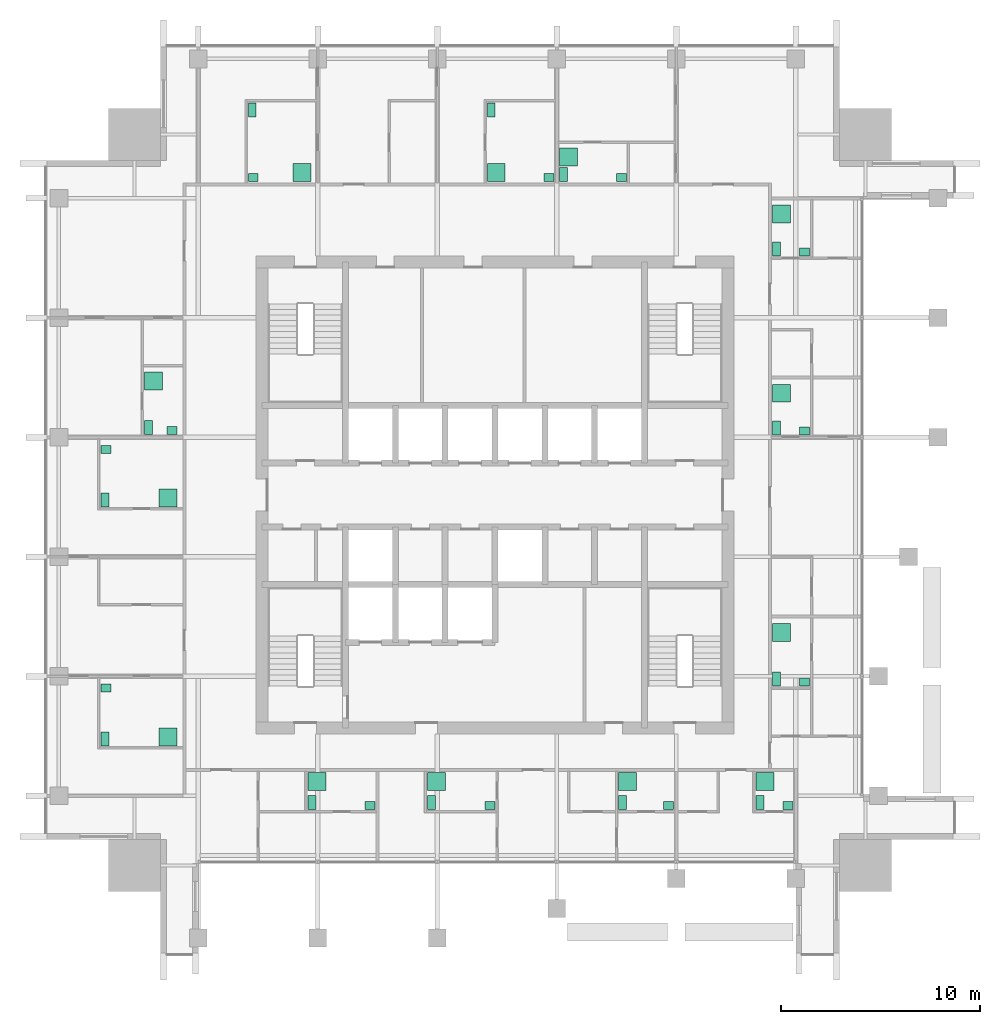
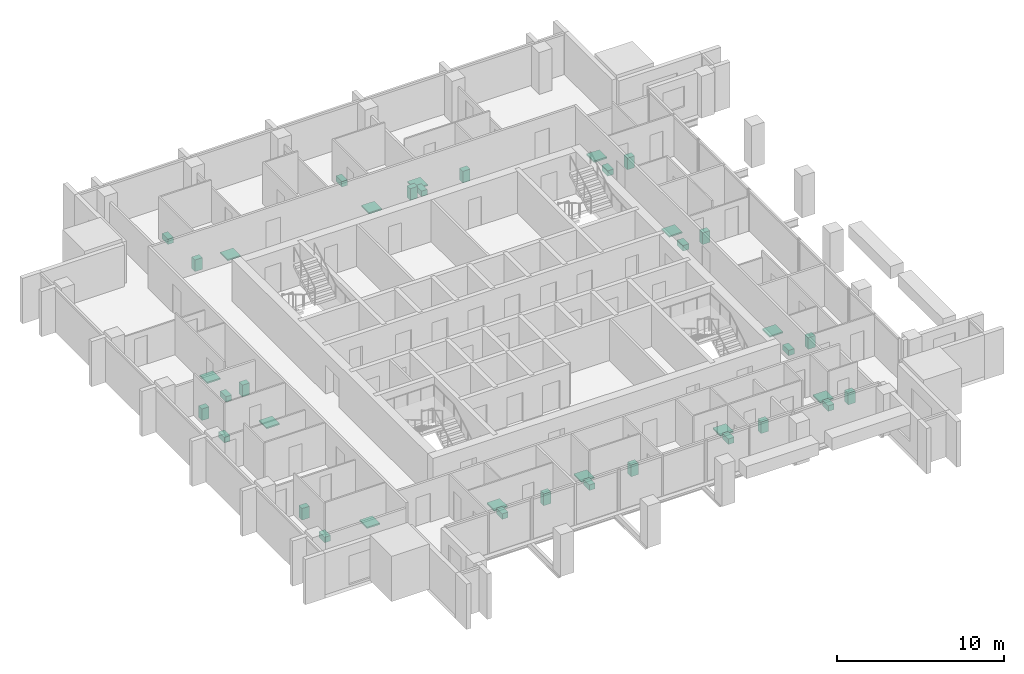
# One storey, part 14 of 14: 39 sanitary terminals.
"""IFC4 building model written with IfcOpenShell, lengths in metres."""

from ifc_helpers import new_model, si_unit, direction, frame, origin, origin_2d, place, context, subcontext, project, spatial, rectangle, extrude, element, save


model = new_model("IFC4")

# Units and contexts
model_context = context("Model", 3, precision=1e-05, world=origin(), true_north=direction((0.0, 1.0)))
body_context = subcontext(model_context, "Body", "Model", "MODEL_VIEW")
ifc_project = project(units=[si_unit("LENGTHUNIT", "METRE"), si_unit("AREAUNIT", "SQUARE_METRE"), si_unit("VOLUMEUNIT", "CUBIC_METRE"), si_unit("PLANEANGLEUNIT", "RADIAN"), si_unit("MASSUNIT", "GRAM", prefix="KILO")], contexts=[model_context])

# Site, building, storey
site_placement = place(None, origin())
site = spatial("IfcSite", under=ifc_project, at=site_placement, CompositionType="ELEMENT")
building_placement = place(site_placement, origin())
building = spatial("IfcBuilding", under=site, at=building_placement, Name="Amberfall Residences", CompositionType="ELEMENT")
storey_placement = place(building_placement, frame((0.0, 0.0, 220.0)))
storey = spatial("IfcBuildingStorey", under=building, at=storey_placement, Name="L59", CompositionType="ELEMENT", Elevation=220.0)

# Sanitary terminals
sanitary_terminal_1_placement = place(storey_placement, frame((65.31005859375, 30.06005859375, 0.0), z_axis=(0.0, 0.0, 1.0), x_axis=(1.0, 0.0, 0.0)))
element("IfcSanitaryTerminal", 1, at=sanitary_terminal_1_placement, inside=storey, Name="Water closet 5901", PredefinedType="TOILETPAN", context=body_context, shape_type="SweptSolid", body=[
    extrude(rectangle(XDim=0.39990234375, YDim=0.699951171875, at=origin_2d()), origin(), (0.0, 0.0, 1.0), 0.39990234375),
])
sanitary_terminal_2_placement = place(storey_placement, frame((68.215087890625, 29.909912109375, 0.0), z_axis=(0.0, 0.0, 1.0), x_axis=(1.0, 0.0, 0.0)))
element("IfcSanitaryTerminal", 2, at=sanitary_terminal_2_placement, inside=storey, Name="Basin 5901", PredefinedType="WASHHANDBASIN", context=body_context, shape_type="SweptSolid", body=[
    extrude(rectangle(XDim=0.5, YDim=0.39990234375, at=origin_2d()), origin(), (0.0, 0.0, 1.0), 0.85009765625),
])
sanitary_terminal_3_placement = place(storey_placement, frame((65.56005859375, 31.114990234375, 0.0), z_axis=(0.0, 0.0, 1.0), x_axis=(1.0, 0.0, 0.0)))
element("IfcSanitaryTerminal", 3, at=sanitary_terminal_3_placement, inside=storey, Name="Shower tray 5901", PredefinedType="SHOWER", context=body_context, shape_type="SweptSolid", body=[
    extrude(rectangle(XDim=0.89990234375, YDim=0.89990234375, at=origin_2d()), origin(), (0.0, 0.0, 1.0), 0.10009765625),
])
sanitary_terminal_4_placement = place(storey_placement, frame((71.31005859375, 30.06005859375, 0.0), z_axis=(0.0, 0.0, 1.0), x_axis=(1.0, 0.0, 0.0)))
element("IfcSanitaryTerminal", 4, at=sanitary_terminal_4_placement, inside=storey, Name="Water closet 5902", PredefinedType="TOILETPAN", context=body_context, shape_type="SweptSolid", body=[
    extrude(rectangle(XDim=0.39990234375, YDim=0.699951171875, at=origin_2d()), origin(), (0.0, 0.0, 1.0), 0.39990234375),
])
sanitary_terminal_5_placement = place(storey_placement, frame((74.239990234375, 29.909912109375, 0.0), z_axis=(0.0, 0.0, 1.0), x_axis=(1.0, 0.0, 0.0)))
element("IfcSanitaryTerminal", 5, at=sanitary_terminal_5_placement, inside=storey, Name="Basin 5902", PredefinedType="WASHHANDBASIN", context=body_context, shape_type="SweptSolid", body=[
    extrude(rectangle(XDim=0.5, YDim=0.39990234375, at=origin_2d()), origin(), (0.0, 0.0, 1.0), 0.85009765625),
])
sanitary_terminal_6_placement = place(storey_placement, frame((71.56005859375, 31.114990234375, 0.0), z_axis=(0.0, 0.0, 1.0), x_axis=(1.0, 0.0, 0.0)))
element("IfcSanitaryTerminal", 6, at=sanitary_terminal_6_placement, inside=storey, Name="Shower tray 5902", PredefinedType="SHOWER", context=body_context, shape_type="SweptSolid", body=[
    extrude(rectangle(XDim=0.89990234375, YDim=0.89990234375, at=origin_2d()), origin(), (0.0, 0.0, 1.0), 0.10009765625),
])
sanitary_terminal_7_placement = place(storey_placement, frame((80.909912109375, 30.06005859375, 0.0), z_axis=(0.0, 0.0, 1.0), x_axis=(1.0, 0.0, 0.0)))
element("IfcSanitaryTerminal", 7, at=sanitary_terminal_7_placement, inside=storey, Name="Water closet 5902", PredefinedType="TOILETPAN", context=body_context, shape_type="SweptSolid", body=[
    extrude(rectangle(XDim=0.39990234375, YDim=0.699951171875, at=origin_2d()), origin(), (0.0, 0.0, 1.0), 0.39990234375),
])
sanitary_terminal_8_placement = place(storey_placement, frame((83.215087890625, 29.909912109375, 0.0), z_axis=(0.0, 0.0, 1.0), x_axis=(1.0, 0.0, 0.0)))
element("IfcSanitaryTerminal", 8, at=sanitary_terminal_8_placement, inside=storey, Name="Basin 5902", PredefinedType="WASHHANDBASIN", context=body_context, shape_type="SweptSolid", body=[
    extrude(rectangle(XDim=0.5, YDim=0.39990234375, at=origin_2d()), origin(), (0.0, 0.0, 1.0), 0.85009765625),
])
sanitary_terminal_9_placement = place(storey_placement, frame((81.159912109375, 31.114990234375, 0.0), z_axis=(0.0, 0.0, 1.0), x_axis=(1.0, 0.0, 0.0)))
element("IfcSanitaryTerminal", 9, at=sanitary_terminal_9_placement, inside=storey, Name="Shower tray 5902", PredefinedType="SHOWER", context=body_context, shape_type="SweptSolid", body=[
    extrude(rectangle(XDim=0.89990234375, YDim=0.89990234375, at=origin_2d()), origin(), (0.0, 0.0, 1.0), 0.10009765625),
])
sanitary_terminal_10_placement = place(storey_placement, frame((87.81005859375, 30.06005859375, 0.0), z_axis=(0.0, 0.0, 1.0), x_axis=(1.0, 0.0, 0.0)))
element("IfcSanitaryTerminal", 10, at=sanitary_terminal_10_placement, inside=storey, Name="Water closet 5903", PredefinedType="TOILETPAN", context=body_context, shape_type="SweptSolid", body=[
    extrude(rectangle(XDim=0.39990234375, YDim=0.699951171875, at=origin_2d()), origin(), (0.0, 0.0, 1.0), 0.39990234375),
])
sanitary_terminal_11_placement = place(storey_placement, frame((89.215087890625, 29.909912109375, 0.0), z_axis=(0.0, 0.0, 1.0), x_axis=(1.0, 0.0, 0.0)))
element("IfcSanitaryTerminal", 11, at=sanitary_terminal_11_placement, inside=storey, Name="Basin 5903", PredefinedType="WASHHANDBASIN", context=body_context, shape_type="SweptSolid", body=[
    extrude(rectangle(XDim=0.5, YDim=0.39990234375, at=origin_2d()), origin(), (0.0, 0.0, 1.0), 0.85009765625),
])
sanitary_terminal_12_placement = place(storey_placement, frame((88.06005859375, 31.114990234375, 0.0), z_axis=(0.0, 0.0, 1.0), x_axis=(1.0, 0.0, 0.0)))
element("IfcSanitaryTerminal", 12, at=sanitary_terminal_12_placement, inside=storey, Name="Shower tray 5903", PredefinedType="SHOWER", context=body_context, shape_type="SweptSolid", body=[
    extrude(rectangle(XDim=0.89990234375, YDim=0.89990234375, at=origin_2d()), origin(), (0.0, 0.0, 1.0), 0.10009765625),
])
sanitary_terminal_13_placement = place(storey_placement, frame((88.635009765625, 36.260009765625, 0.0), z_axis=(0.0, 0.0, 1.0), x_axis=(1.0, 0.0, 0.0)))
element("IfcSanitaryTerminal", 13, at=sanitary_terminal_13_placement, inside=storey, Name="Water closet 5904", PredefinedType="TOILETPAN", context=body_context, shape_type="SweptSolid", body=[
    extrude(rectangle(XDim=0.39990234375, YDim=0.699951171875, at=origin_2d()), origin(), (0.0, 0.0, 1.0), 0.39990234375),
])
sanitary_terminal_14_placement = place(storey_placement, frame((90.0400390625, 36.110107421875, 0.0), z_axis=(0.0, 0.0, 1.0), x_axis=(1.0, 0.0, 0.0)))
element("IfcSanitaryTerminal", 14, at=sanitary_terminal_14_placement, inside=storey, Name="Basin 5904", PredefinedType="WASHHANDBASIN", context=body_context, shape_type="SweptSolid", body=[
    extrude(rectangle(XDim=0.5, YDim=0.39990234375, at=origin_2d()), origin(), (0.0, 0.0, 1.0), 0.85009765625),
])
sanitary_terminal_15_placement = place(storey_placement, frame((88.885009765625, 38.591796875, 0.0), z_axis=(0.0, 0.0, 1.0), x_axis=(1.0, 0.0, 0.0)))
element("IfcSanitaryTerminal", 15, at=sanitary_terminal_15_placement, inside=storey, Name="Shower tray 5904", PredefinedType="SHOWER", context=body_context, shape_type="SweptSolid", body=[
    extrude(rectangle(XDim=0.89990234375, YDim=0.89990234375, at=origin_2d()), origin(), (0.0, 0.0, 1.0), 0.10009765625),
])
sanitary_terminal_16_placement = place(storey_placement, frame((88.635009765625, 48.860107421875, 0.0), z_axis=(0.0, 0.0, 1.0), x_axis=(1.0, 0.0, 0.0)))
element("IfcSanitaryTerminal", 16, at=sanitary_terminal_16_placement, inside=storey, Name="Water closet 5905", PredefinedType="TOILETPAN", context=body_context, shape_type="SweptSolid", body=[
    extrude(rectangle(XDim=0.39990234375, YDim=0.699951171875, at=origin_2d()), origin(), (0.0, 0.0, 1.0), 0.39990234375),
])
sanitary_terminal_17_placement = place(storey_placement, frame((90.0400390625, 48.7099609375, 0.0), z_axis=(0.0, 0.0, 1.0), x_axis=(1.0, 0.0, 0.0)))
element("IfcSanitaryTerminal", 17, at=sanitary_terminal_17_placement, inside=storey, Name="Basin 5905", PredefinedType="WASHHANDBASIN", context=body_context, shape_type="SweptSolid", body=[
    extrude(rectangle(XDim=0.5, YDim=0.39990234375, at=origin_2d()), origin(), (0.0, 0.0, 1.0), 0.85009765625),
])
sanitary_terminal_18_placement = place(storey_placement, frame((88.885009765625, 50.60888671875, 0.0), z_axis=(0.0, 0.0, 1.0), x_axis=(1.0, 0.0, 0.0)))
element("IfcSanitaryTerminal", 18, at=sanitary_terminal_18_placement, inside=storey, Name="Shower tray 5905", PredefinedType="SHOWER", context=body_context, shape_type="SweptSolid", body=[
    extrude(rectangle(XDim=0.89990234375, YDim=0.89990234375, at=origin_2d()), origin(), (0.0, 0.0, 1.0), 0.10009765625),
])
sanitary_terminal_19_placement = place(storey_placement, frame((88.635009765625, 57.860107421875, 0.0), z_axis=(0.0, 0.0, 1.0), x_axis=(1.0, 0.0, 0.0)))
element("IfcSanitaryTerminal", 19, at=sanitary_terminal_19_placement, inside=storey, Name="Water closet 5906", PredefinedType="TOILETPAN", context=body_context, shape_type="SweptSolid", body=[
    extrude(rectangle(XDim=0.39990234375, YDim=0.699951171875, at=origin_2d()), origin(), (0.0, 0.0, 1.0), 0.39990234375),
])
sanitary_terminal_20_placement = place(storey_placement, frame((90.0400390625, 57.7099609375, 0.0), z_axis=(0.0, 0.0, 1.0), x_axis=(1.0, 0.0, 0.0)))
element("IfcSanitaryTerminal", 20, at=sanitary_terminal_20_placement, inside=storey, Name="Basin 5906", PredefinedType="WASHHANDBASIN", context=body_context, shape_type="SweptSolid", body=[
    extrude(rectangle(XDim=0.5, YDim=0.39990234375, at=origin_2d()), origin(), (0.0, 0.0, 1.0), 0.85009765625),
])
sanitary_terminal_21_placement = place(storey_placement, frame((88.885009765625, 59.60888671875, 0.0), z_axis=(0.0, 0.0, 1.0), x_axis=(1.0, 0.0, 0.0)))
element("IfcSanitaryTerminal", 21, at=sanitary_terminal_21_placement, inside=storey, Name="Shower tray 5906", PredefinedType="SHOWER", context=body_context, shape_type="SweptSolid", body=[
    extrude(rectangle(XDim=0.89990234375, YDim=0.89990234375, at=origin_2d()), origin(), (0.0, 0.0, 1.0), 0.10009765625),
])
sanitary_terminal_22_placement = place(storey_placement, frame((62.31005859375, 64.840087890625, 0.0), z_axis=(0.0, 0.0, 1.0), x_axis=(1.0, 0.0, 0.0)))
element("IfcSanitaryTerminal", 22, at=sanitary_terminal_22_placement, inside=storey, Name="Water closet 5907", PredefinedType="TOILETPAN", context=body_context, shape_type="SweptSolid", body=[
    extrude(rectangle(XDim=0.39990234375, YDim=0.699951171875, at=origin_2d()), origin(), (0.0, 0.0, 1.0), 0.39990234375),
])
sanitary_terminal_23_placement = place(storey_placement, frame((62.360107421875, 61.43505859375, 0.0), z_axis=(0.0, 0.0, 1.0), x_axis=(1.0, 0.0, 0.0)))
element("IfcSanitaryTerminal", 23, at=sanitary_terminal_23_placement, inside=storey, Name="Basin 5907", PredefinedType="WASHHANDBASIN", context=body_context, shape_type="SweptSolid", body=[
    extrude(rectangle(XDim=0.5, YDim=0.39990234375, at=origin_2d()), origin(), (0.0, 0.0, 1.0), 0.85009765625),
])
sanitary_terminal_24_placement = place(storey_placement, frame((64.814453125, 61.68505859375, 0.0), z_axis=(0.0, 0.0, 1.0), x_axis=(1.0, 0.0, 0.0)))
element("IfcSanitaryTerminal", 24, at=sanitary_terminal_24_placement, inside=storey, Name="Shower tray 5907", PredefinedType="SHOWER", context=body_context, shape_type="SweptSolid", body=[
    extrude(rectangle(XDim=0.89990234375, YDim=0.89990234375, at=origin_2d()), origin(), (0.0, 0.0, 1.0), 0.10009765625),
])
sanitary_terminal_25_placement = place(storey_placement, frame((74.31005859375, 64.840087890625, 0.0), z_axis=(0.0, 0.0, 1.0), x_axis=(1.0, 0.0, 0.0)))
element("IfcSanitaryTerminal", 25, at=sanitary_terminal_25_placement, inside=storey, Name="Water closet 5907", PredefinedType="TOILETPAN", context=body_context, shape_type="SweptSolid", body=[
    extrude(rectangle(XDim=0.39990234375, YDim=0.699951171875, at=origin_2d()), origin(), (0.0, 0.0, 1.0), 0.39990234375),
])
sanitary_terminal_26_placement = place(storey_placement, frame((77.215087890625, 61.43505859375, 0.0), z_axis=(0.0, 0.0, 1.0), x_axis=(1.0, 0.0, 0.0)))
element("IfcSanitaryTerminal", 26, at=sanitary_terminal_26_placement, inside=storey, Name="Basin 5907", PredefinedType="WASHHANDBASIN", context=body_context, shape_type="SweptSolid", body=[
    extrude(rectangle(XDim=0.5, YDim=0.39990234375, at=origin_2d()), origin(), (0.0, 0.0, 1.0), 0.85009765625),
])
sanitary_terminal_27_placement = place(storey_placement, frame((74.56005859375, 61.68505859375, 0.0), z_axis=(0.0, 0.0, 1.0), x_axis=(1.0, 0.0, 0.0)))
element("IfcSanitaryTerminal", 27, at=sanitary_terminal_27_placement, inside=storey, Name="Shower tray 5907", PredefinedType="SHOWER", context=body_context, shape_type="SweptSolid", body=[
    extrude(rectangle(XDim=0.89990234375, YDim=0.89990234375, at=origin_2d()), origin(), (0.0, 0.0, 1.0), 0.10009765625),
])
sanitary_terminal_28_placement = place(storey_placement, frame((77.93505859375, 61.5849609375, 0.0), z_axis=(0.0, 0.0, 1.0), x_axis=(1.0, 0.0, 0.0)))
element("IfcSanitaryTerminal", 28, at=sanitary_terminal_28_placement, inside=storey, Name="Water closet 5908", PredefinedType="TOILETPAN", context=body_context, shape_type="SweptSolid", body=[
    extrude(rectangle(XDim=0.39990234375, YDim=0.699951171875, at=origin_2d()), origin(), (0.0, 0.0, 1.0), 0.39990234375),
])
sanitary_terminal_29_placement = place(storey_placement, frame((80.840087890625, 61.43505859375, 0.0), z_axis=(0.0, 0.0, 1.0), x_axis=(1.0, 0.0, 0.0)))
element("IfcSanitaryTerminal", 29, at=sanitary_terminal_29_placement, inside=storey, Name="Basin 5908", PredefinedType="WASHHANDBASIN", context=body_context, shape_type="SweptSolid", body=[
    extrude(rectangle(XDim=0.5, YDim=0.39990234375, at=origin_2d()), origin(), (0.0, 0.0, 1.0), 0.85009765625),
])
sanitary_terminal_30_placement = place(storey_placement, frame((78.18505859375, 62.480712890625, 0.0), z_axis=(0.0, 0.0, 1.0), x_axis=(1.0, 0.0, 0.0)))
element("IfcSanitaryTerminal", 30, at=sanitary_terminal_30_placement, inside=storey, Name="Shower tray 5908", PredefinedType="SHOWER", context=body_context, shape_type="SweptSolid", body=[
    extrude(rectangle(XDim=0.89990234375, YDim=0.89990234375, at=origin_2d()), origin(), (0.0, 0.0, 1.0), 0.10009765625),
])
sanitary_terminal_31_placement = place(storey_placement, frame((54.909912109375, 33.260009765625, 0.0), z_axis=(0.0, 0.0, 1.0), x_axis=(1.0, 0.0, 0.0)))
element("IfcSanitaryTerminal", 31, at=sanitary_terminal_31_placement, inside=storey, Name="Water closet 5909", PredefinedType="TOILETPAN", context=body_context, shape_type="SweptSolid", body=[
    extrude(rectangle(XDim=0.39990234375, YDim=0.699951171875, at=origin_2d()), origin(), (0.0, 0.0, 1.0), 0.39990234375),
])
sanitary_terminal_32_placement = place(storey_placement, frame((54.9599609375, 35.819091796875, 0.0), z_axis=(0.0, 0.0, 1.0), x_axis=(1.0, 0.0, 0.0)))
element("IfcSanitaryTerminal", 32, at=sanitary_terminal_32_placement, inside=storey, Name="Basin 5909", PredefinedType="WASHHANDBASIN", context=body_context, shape_type="SweptSolid", body=[
    extrude(rectangle(XDim=0.5, YDim=0.39990234375, at=origin_2d()), origin(), (0.0, 0.0, 1.0), 0.85009765625),
])
sanitary_terminal_33_placement = place(storey_placement, frame((58.072265625, 33.360107421875, 0.0), z_axis=(0.0, 0.0, 1.0), x_axis=(1.0, 0.0, 0.0)))
element("IfcSanitaryTerminal", 33, at=sanitary_terminal_33_placement, inside=storey, Name="Shower tray 5909", PredefinedType="SHOWER", context=body_context, shape_type="SweptSolid", body=[
    extrude(rectangle(XDim=0.89990234375, YDim=0.89990234375, at=origin_2d()), origin(), (0.0, 0.0, 1.0), 0.10009765625),
])
sanitary_terminal_34_placement = place(storey_placement, frame((54.909912109375, 45.260009765625, 0.0), z_axis=(0.0, 0.0, 1.0), x_axis=(1.0, 0.0, 0.0)))
element("IfcSanitaryTerminal", 34, at=sanitary_terminal_34_placement, inside=storey, Name="Water closet 5909", PredefinedType="TOILETPAN", context=body_context, shape_type="SweptSolid", body=[
    extrude(rectangle(XDim=0.39990234375, YDim=0.699951171875, at=origin_2d()), origin(), (0.0, 0.0, 1.0), 0.39990234375),
])
sanitary_terminal_35_placement = place(storey_placement, frame((54.9599609375, 47.79638671875, 0.0), z_axis=(0.0, 0.0, 1.0), x_axis=(1.0, 0.0, 0.0)))
element("IfcSanitaryTerminal", 35, at=sanitary_terminal_35_placement, inside=storey, Name="Basin 5909", PredefinedType="WASHHANDBASIN", context=body_context, shape_type="SweptSolid", body=[
    extrude(rectangle(XDim=0.5, YDim=0.39990234375, at=origin_2d()), origin(), (0.0, 0.0, 1.0), 0.85009765625),
])
sanitary_terminal_36_placement = place(storey_placement, frame((58.072265625, 45.360107421875, 0.0), z_axis=(0.0, 0.0, 1.0), x_axis=(1.0, 0.0, 0.0)))
element("IfcSanitaryTerminal", 36, at=sanitary_terminal_36_placement, inside=storey, Name="Shower tray 5909", PredefinedType="SHOWER", context=body_context, shape_type="SweptSolid", body=[
    extrude(rectangle(XDim=0.89990234375, YDim=0.89990234375, at=origin_2d()), origin(), (0.0, 0.0, 1.0), 0.10009765625),
])
sanitary_terminal_37_placement = place(storey_placement, frame((57.110107421875, 48.885009765625, 0.0), z_axis=(0.0, 0.0, 1.0), x_axis=(1.0, 0.0, 0.0)))
element("IfcSanitaryTerminal", 37, at=sanitary_terminal_37_placement, inside=storey, Name="Water closet 5910", PredefinedType="TOILETPAN", context=body_context, shape_type="SweptSolid", body=[
    extrude(rectangle(XDim=0.39990234375, YDim=0.699951171875, at=origin_2d()), origin(), (0.0, 0.0, 1.0), 0.39990234375),
])
sanitary_terminal_38_placement = place(storey_placement, frame((58.2890625, 48.735107421875, 0.0), z_axis=(0.0, 0.0, 1.0), x_axis=(1.0, 0.0, 0.0)))
element("IfcSanitaryTerminal", 38, at=sanitary_terminal_38_placement, inside=storey, Name="Basin 5910", PredefinedType="WASHHANDBASIN", context=body_context, shape_type="SweptSolid", body=[
    extrude(rectangle(XDim=0.5, YDim=0.39990234375, at=origin_2d()), origin(), (0.0, 0.0, 1.0), 0.85009765625),
])
sanitary_terminal_39_placement = place(storey_placement, frame((57.360107421875, 51.216796875, 0.0), z_axis=(0.0, 0.0, 1.0), x_axis=(1.0, 0.0, 0.0)))
element("IfcSanitaryTerminal", 39, at=sanitary_terminal_39_placement, inside=storey, Name="Shower tray 5910", PredefinedType="SHOWER", context=body_context, shape_type="SweptSolid", body=[
    extrude(rectangle(XDim=0.89990234375, YDim=0.89990234375, at=origin_2d()), origin(), (0.0, 0.0, 1.0), 0.10009765625),
])

save(model, "model.ifc")
